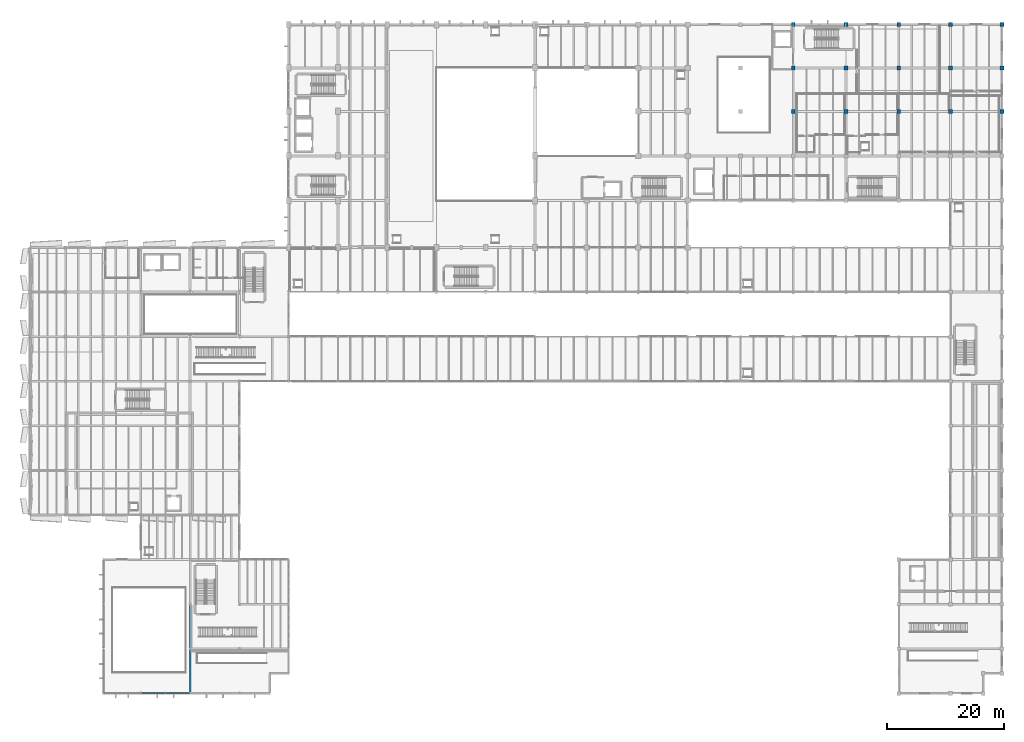
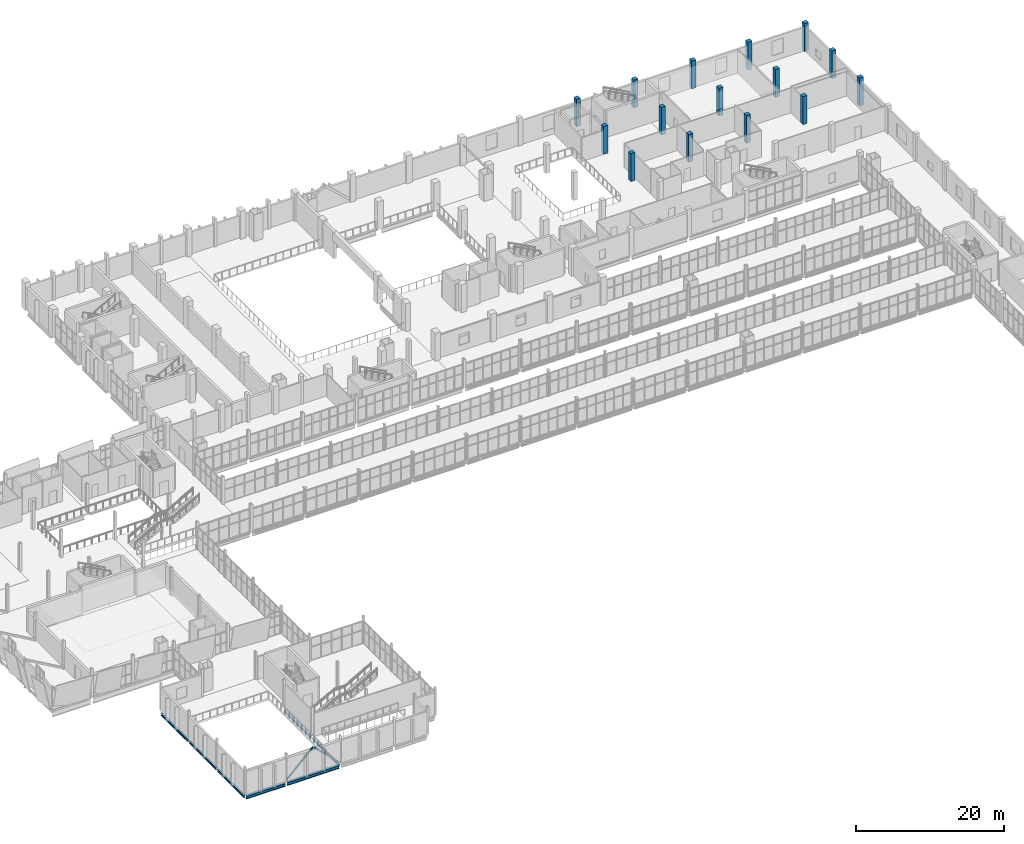
# One storey, part 16 of 172: 15 columns, 7 beams, 2 members.
"""IFC4 building model written with IfcOpenShell, lengths in metres."""

from ifc_helpers import new_model, si_unit, direction, frame, origin, origin_2d, place, context, subcontext, project, spatial, rectangle, hollow_rectangle, i_section, extrude, material, material_profile, profile_set, type_object, element, save


model = new_model("IFC4")

# Units and contexts
model_context = context("Model", 3, precision=1e-05, world=origin(), true_north=direction((0.0, 1.0)))
body_context = subcontext(model_context, "Body", "Model", "MODEL_VIEW")
ifc_project = project(units=[si_unit("LENGTHUNIT", "METRE"), si_unit("AREAUNIT", "SQUARE_METRE"), si_unit("VOLUMEUNIT", "CUBIC_METRE"), si_unit("PLANEANGLEUNIT", "RADIAN"), si_unit("MASSUNIT", "GRAM", prefix="KILO")], contexts=[model_context])

# Site, building, storey
site_placement = place(None, origin())
site = spatial("IfcSite", under=ifc_project, at=site_placement, CompositionType="ELEMENT")
building_placement = place(site_placement, origin())
building = spatial("IfcBuilding", under=site, at=building_placement, Name="Shengluoqiao Park Theatre", CompositionType="ELEMENT")
storey_placement = place(building_placement, frame((0.0, 0.0, 5.39990234375)))
storey = spatial("IfcBuildingStorey", under=building, at=storey_placement, Name="L01", CompositionType="ELEMENT", Elevation=5.39990234375)

# Columns
ifc_material_1 = material(Name="Concrete C40", Category="concrete")
ifc_material_profile_1 = material_profile(ifc_material_1, rectangle(XDim=0.64990234375, YDim=0.64990234375, at=origin_2d()), Name="RC 650x650")
ifc_profile_set_1 = profile_set([ifc_material_profile_1], Name="Concrete C40")
column_type = type_object("IfcColumnType", Name="STR-COL-C-RC650", PredefinedType="COLUMN", material=ifc_profile_set_1)
for number, where, z_axis, x_axis, name in (
    (1, (130.39990234375, 99.199951171875, 0.0), (0.0, 0.0, 1.0), (1.0, 0.0, 0.0), "L01 Column 0651"),
    (2, (130.39990234375, 106.60009765625, 0.0), (0.0, 0.0, 1.0), (1.0, 0.0, 0.0), "L01 Column 0658"),
    (3, (130.39990234375, 114.0, 0.0), (0.0, 0.0, 1.0), (1.0, 0.0, 0.0), "L01 Column 0665"),
    (4, (139.39990234375, 99.199951171875, 0.0), (0.0, 0.0, 1.0), (1.0, 0.0, 0.0), "L01 Column 0696"),
    (5, (139.39990234375, 106.60009765625, 0.0), (0.0, 0.0, 1.0), (1.0, 0.0, 0.0), "L01 Column 0703"),
    (6, (139.39990234375, 114.0, 0.0), (0.0, 0.0, 1.0), (1.0, 0.0, 0.0), "L01 Column 0710"),
    (7, (148.39990234375, 99.199951171875, 0.0), (0.0, 0.0, 1.0), (1.0, 0.0, 0.0), "L01 Column 0753"),
    (8, (148.39990234375, 106.60009765625, 0.0), (0.0, 0.0, 1.0), (1.0, 0.0, 0.0), "L01 Column 0760"),
    (9, (148.39990234375, 114.0, 0.0), (0.0, 0.0, 1.0), (1.0, 0.0, 0.0), "L01 Column 0767"),
    (10, (157.199951171875, 99.199951171875, 0.0), (0.0, 0.0, 1.0), (1.0, 0.0, 0.0), "L01 Column 0816"),
    (11, (157.199951171875, 106.60009765625, 0.0), (0.0, 0.0, 1.0), (1.0, 0.0, 0.0), "L01 Column 0822"),
    (12, (157.199951171875, 114.0, 0.0), (0.0, 0.0, 1.0), (1.0, 0.0, 0.0), "L01 Column 0828"),
    (13, (166.0, 99.199951171875, 0.0), (0.0, 0.0, 1.0), (1.0, 0.0, 0.0), "L01 Column 0874"),
    (14, (166.0, 106.60009765625, 0.0), (0.0, 0.0, 1.0), (1.0, 0.0, 0.0), "L01 Column 0878"),
    (15, (166.0, 114.0, 0.0), (0.0, 0.0, 1.0), (1.0, 0.0, 0.0), "L01 Column 0882"),
):
    element("IfcColumn", number, at=place(storey_placement, frame(where, z_axis=z_axis, x_axis=x_axis)), inside=storey, type_object=column_type, Name=name, PredefinedType="COLUMN", context=body_context, shape_type="SweptSolid", body=[
        extrude(rectangle(XDim=0.64990234375, YDim=0.64990234375, at=origin_2d()), origin(), (0.0, 0.0, 1.0), 4.60009765625),
    ])

# Beams
ifc_material_2 = material(Name="Steel Q355", Category="steel")
ifc_material_profile_2 = material_profile(ifc_material_2, i_section(OverallWidth=0.25, OverallDepth=0.340087890625, WebThickness=0.009033203125, FlangeThickness=0.013916015625, FilletRadius=0.01611328125, at=origin_2d()), Name="HM 340x250x9x14")
ifc_profile_set_2 = profile_set([ifc_material_profile_2], Name="Steel Q355")
beam_type_1 = type_object("IfcBeamType", Name="STR-BM-G-HM340", PredefinedType="BEAM", material=ifc_profile_set_2)
for number, where, z_axis, x_axis, name in (
    (16, (12.800048828125, 0.14404296875, -0.510009765625), (0.0, 1.0, 0.0), (-1.0, 0.0, 0.0), "L01 Transverse Girder 00419"),
    (17, (12.800048828125, 7.743896484375, -0.510009765625), (0.0, 1.0, 0.0), (-1.0, 0.0, 0.0), "L01 Transverse Girder 00420"),
    (18, (12.800048828125, 15.343994140625, -0.510009765625), (0.0, 1.0, 0.0), (-1.0, 0.0, 0.0), "L01 Transverse Girder 00421"),
    (19, (27.60009765625, 0.14404296875, -0.510009765625), (0.0, 1.0, 0.0), (-1.0, 0.0, 0.0), "L01 Transverse Girder 00422"),
    (20, (27.60009765625, 7.743896484375, -0.510009765625), (0.0, 1.0, 0.0), (-1.0, 0.0, 0.0), "L01 Transverse Girder 00423"),
):
    element("IfcBeam", number, at=place(storey_placement, frame(where, z_axis=z_axis, x_axis=x_axis)), inside=storey, type_object=beam_type_1, Name=name, PredefinedType="BEAM", context=body_context, shape_type="SweptSolid", body=[
        extrude(i_section(OverallWidth=0.25, OverallDepth=0.340087890625, WebThickness=0.009033203125, FlangeThickness=0.013916015625, FilletRadius=0.01611328125, at=origin_2d()), origin(), (0.0, 0.0, 1.0), 7.31201171875),
    ])
ifc_material_profile_3 = material_profile(ifc_material_2, i_section(OverallWidth=0.300048828125, OverallDepth=0.48193359375, WebThickness=0.010986328125, FlangeThickness=0.014892578125, FilletRadius=0.02197265625, at=origin_2d()), Name="HM 482x300x11x15")
ifc_profile_set_3 = profile_set([ifc_material_profile_3], Name="Steel Q355")
beam_type_2 = type_object("IfcBeamType", Name="STR-BM-G-HM482", PredefinedType="BEAM", material=ifc_profile_set_3)
beam_1_placement = place(storey_placement, frame((12.946533203125, 0.0, -0.580810546875), z_axis=(1.0, 0.0, 0.0), x_axis=(0.0, 1.0, 0.0)))
element("IfcBeam", 21, at=beam_1_placement, inside=storey, type_object=beam_type_2, Name="L01 Primary Girder 00415", PredefinedType="BEAM", context=body_context, shape_type="SweptSolid", body=[
    extrude(i_section(OverallWidth=0.300048828125, OverallDepth=0.48193359375, WebThickness=0.010986328125, FlangeThickness=0.014892578125, FilletRadius=0.02197265625, at=origin_2d()), origin(), (0.0, 0.0, 1.0), 6.10693359375),
])
beam_2_placement = place(storey_placement, frame((19.346435546875, 0.0, -0.580810546875), z_axis=(1.0, 0.0, 0.0), x_axis=(0.0, 1.0, 0.0)))
element("IfcBeam", 22, at=beam_2_placement, inside=storey, type_object=beam_type_2, Name="L01 Primary Girder 00416", PredefinedType="BEAM", context=body_context, shape_type="SweptSolid", body=[
    extrude(i_section(OverallWidth=0.300048828125, OverallDepth=0.48193359375, WebThickness=0.010986328125, FlangeThickness=0.014892578125, FilletRadius=0.02197265625, at=origin_2d()), origin(), (0.0, 0.0, 1.0), 8.107177734375),
])

# Members
ifc_material_profile_4 = material_profile(ifc_material_2, hollow_rectangle(XDim=0.199951171875, YDim=0.199951171875, WallThickness=0.010009765625, InnerFilletRadius=0.010009765625, OuterFilletRadius=0.02001953125, at=origin_2d()), Name="RHS 200x200x10")
ifc_profile_set_4 = profile_set([ifc_material_profile_4], Name="Steel Q355")
member_type = type_object("IfcMemberType", Name="STR-MEM-BRR-200", PredefinedType="BRACE", material=ifc_profile_set_4)
for number, where, z_axis, x_axis, name in (
    (23, (19.283935546875, 0.0400390625, 0.1005859375), (0.720658835722, 0.0, 0.693289869028), (0.0, 1.0, 0.0), "L01 Chevron Brace 0033"),
    (24, (27.51611328125, 0.0400390625, 0.1005859375), (-0.720679486123, 0.0, 0.693268402771), (0.0, -1.0, 0.0), "L01 Chevron Brace 0034"),
):
    element("IfcMember", number, at=place(storey_placement, frame(where, z_axis=z_axis, x_axis=x_axis)), inside=storey, type_object=member_type, Name=name, PredefinedType="BRACE", context=body_context, shape_type="SweptSolid", body=[
        extrude(hollow_rectangle(XDim=0.199951171875, YDim=0.199951171875, WallThickness=0.010009765625, InnerFilletRadius=0.010009765625, OuterFilletRadius=0.02001953125, at=origin_2d()), origin(), (0.0, 0.0, 1.0), 5.682373046875),
    ])

save(model, "model.ifc")
